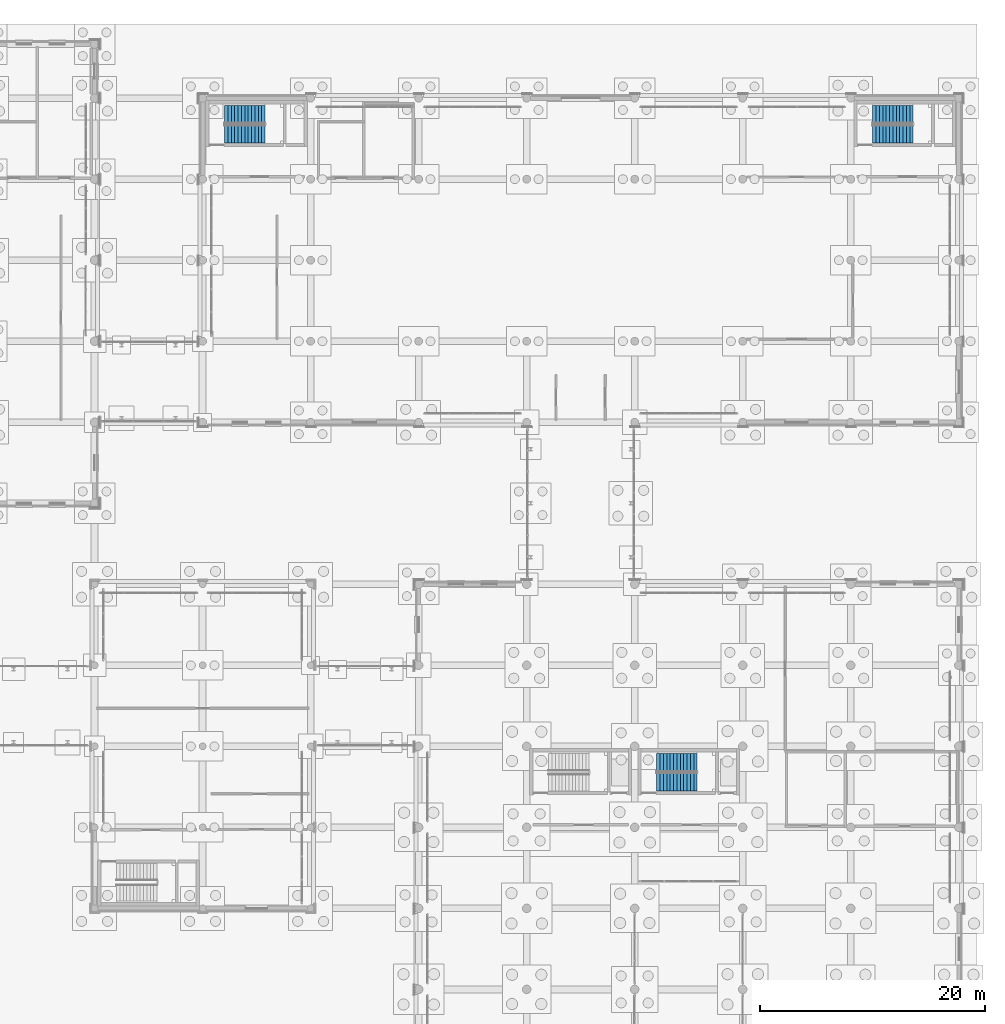
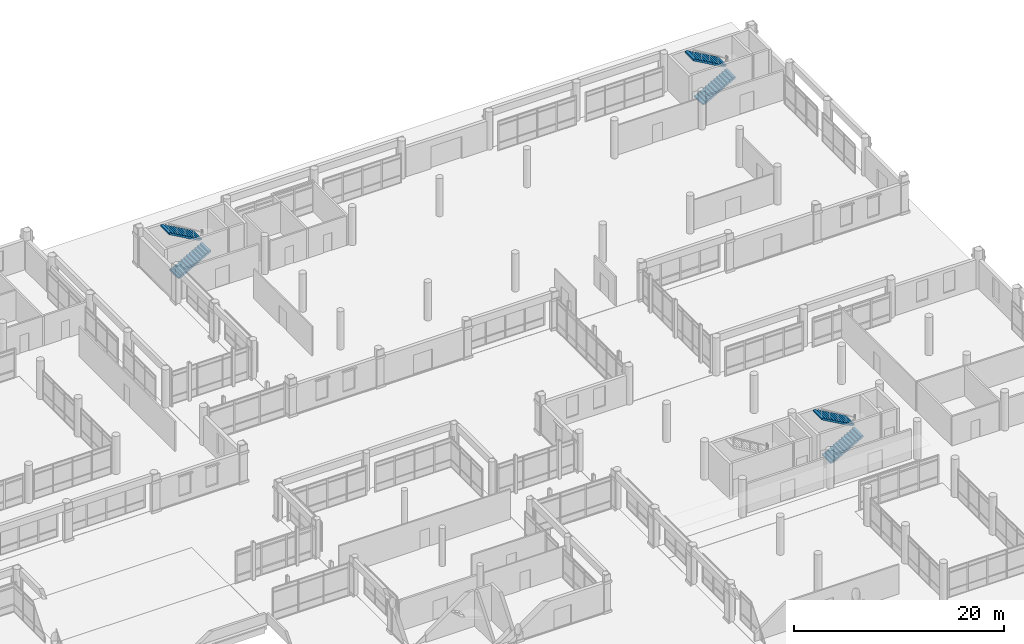
# One storey, part 169 of 196: 6 stair flights, 3 elements without a shape of their own.
"""IFC4 building model written with IfcOpenShell, lengths in metres."""

from ifc_helpers import new_model, si_unit, direction, frame, origin, place, context, subcontext, project, spatial, polyline, outline, extrude, material, layer, layer_set, type_object, element, aggregate, save


model = new_model("IFC4")

# Units and contexts
model_context = context("Model", 3, precision=1e-05, world=origin(), true_north=direction((0.0, 1.0)))
body_context = subcontext(model_context, "Body", "Model", "MODEL_VIEW")
ifc_project = project(units=[si_unit("LENGTHUNIT", "METRE"), si_unit("AREAUNIT", "SQUARE_METRE"), si_unit("VOLUMEUNIT", "CUBIC_METRE"), si_unit("PLANEANGLEUNIT", "RADIAN"), si_unit("MASSUNIT", "GRAM", prefix="KILO")], contexts=[model_context])

# Site, building, storey
site_placement = place(None, origin())
site = spatial("IfcSite", under=ifc_project, at=site_placement, CompositionType="ELEMENT")
building_placement = place(site_placement, origin())
building = spatial("IfcBuilding", under=site, at=building_placement, Name="Asteropetra Specialist Clinic", CompositionType="ELEMENT")
storey_placement = place(building_placement, origin())
storey = spatial("IfcBuildingStorey", under=building, at=storey_placement, Name="L00", CompositionType="ELEMENT", Elevation=0.0)

# Stair, stair flights
ifc_material_1 = material(Name="Concrete C35/45", Category="concrete")
stair_type_1 = type_object("IfcStairType", Name="STR-DOG-160", PredefinedType="TWO_STRAIGHT_RUN_STAIR", material=ifc_material_1)
stair_1_placement = place(storey_placement, origin())
stair_1 = element("IfcStair", 1, at=stair_1_placement, inside=storey, type_object=stair_type_1, Name="Type I Stair ST11-L00", PredefinedType="TWO_STRAIGHT_RUN_STAIR")
ifc_material_2 = material(Name="Concrete C35/45", Category="concrete")
ifc_layer_1 = layer(ifc_material_2, 0.179931640625)
ifc_layer_set_1 = layer_set([ifc_layer_1], Name="Concrete C35/45")
stair_flight_type_1 = type_object("IfcStairFlightType", Name="SFL-STR-160", PredefinedType="STRAIGHT", material=ifc_layer_set_1)
stair_flight_1_placement = place(storey_placement, frame((88.35009765625, 102.419921875, 0.0), z_axis=(0.0, 0.0, 1.0), x_axis=(1.0, 0.0, 0.0)))
stair_flight_1 = element("IfcStairFlight", 2, at=stair_flight_1_placement, type_object=stair_flight_type_1, Name="ST11-L00 flight 1", NumberOfRisers=13, NumberOfTreads=12, PredefinedType="STRAIGHT", RiserHeight=0.17, TreadLength=0.3, context=body_context, shape_type="SweptSolid", body=[
    extrude(outline(polyline([(0.0, 0.0), (0.0, 0.169921875), (0.300048828125, 0.169921875), (0.300048828125, 0.340087890625), (0.60009765625, 0.340087890625), (0.60009765625, 0.510009765625), (0.89990234375, 0.510009765625), (0.89990234375, 0.679931640625), (1.199951171875, 0.679931640625), (1.199951171875, 0.85009765625), (1.5, 0.85009765625), (1.5, 1.02001953125), (1.800048828125, 1.02001953125), (1.800048828125, 1.18994140625), (2.10009765625, 1.18994140625), (2.10009765625, 1.360107421875), (2.39990234375, 1.360107421875), (2.39990234375, 1.530029296875), (2.699951171875, 1.530029296875), (2.699951171875, 1.699951171875), (3.0, 1.699951171875), (3.0, 1.8701171875), (3.300048828125, 1.8701171875), (3.300048828125, 2.0400390625), (3.60009765625, 2.0400390625), (3.60009765625, 2.2099609375), (3.60009765625, 1.856201171875), (0.324462890625, 0.0), (0.0, 0.0)])), frame((0.0, 0.800048828125, 0.0), z_axis=(0.0, -1.0, 0.0), x_axis=(1.0, 0.0, 0.0)), (0.0, 0.0, 1.0), 1.60009765625),
])
stair_flight_2_placement = place(storey_placement, frame((91.949951171875, 104.159912109375, 2.2099609375), z_axis=(0.0, 0.0, 1.0), x_axis=(-1.0, 0.0, 0.0)))
stair_flight_2 = element("IfcStairFlight", 3, at=stair_flight_2_placement, type_object=stair_flight_type_1, Name="ST11-L00 flight 2", NumberOfRisers=13, NumberOfTreads=12, PredefinedType="STRAIGHT", RiserHeight=0.17, TreadLength=0.3, context=body_context, shape_type="SweptSolid", body=[
    extrude(outline(polyline([(0.0, 0.0), (0.0, 0.169921875), (0.300048828125, 0.169921875), (0.300048828125, 0.340087890625), (0.60009765625, 0.340087890625), (0.60009765625, 0.510009765625), (0.89990234375, 0.510009765625), (0.89990234375, 0.679931640625), (1.199951171875, 0.679931640625), (1.199951171875, 0.85009765625), (1.5, 0.85009765625), (1.5, 1.02001953125), (1.800048828125, 1.02001953125), (1.800048828125, 1.18994140625), (2.10009765625, 1.18994140625), (2.10009765625, 1.360107421875), (2.39990234375, 1.360107421875), (2.39990234375, 1.530029296875), (2.699951171875, 1.530029296875), (2.699951171875, 1.699951171875), (3.0, 1.699951171875), (3.0, 1.8701171875), (3.300048828125, 1.8701171875), (3.300048828125, 2.0400390625), (3.60009765625, 2.0400390625), (3.60009765625, 2.2099609375), (3.60009765625, 1.856201171875), (0.324462890625, 0.0), (0.0, 0.0)])), frame((0.0, 0.800048828125, 0.0), z_axis=(0.0, -1.0, 0.0), x_axis=(1.0, 0.0, 0.0)), (0.0, 0.0, 1.0), 1.60009765625),
])
aggregate(stair_1, [stair_flight_1, stair_flight_2])

stair_2_placement = place(storey_placement, origin())
stair_2 = element("IfcStair", 4, at=stair_2_placement, inside=storey, type_object=stair_type_1, Name="Type I Stair ST12-L00", PredefinedType="TWO_STRAIGHT_RUN_STAIR")
stair_flight_3_placement = place(storey_placement, frame((145.949951171875, 102.419921875, 0.0), z_axis=(0.0, 0.0, 1.0), x_axis=(1.0, 0.0, 0.0)))
stair_flight_3 = element("IfcStairFlight", 5, at=stair_flight_3_placement, type_object=stair_flight_type_1, Name="ST12-L00 flight 1", NumberOfRisers=13, NumberOfTreads=12, PredefinedType="STRAIGHT", RiserHeight=0.17, TreadLength=0.3, context=body_context, shape_type="SweptSolid", body=[
    extrude(outline(polyline([(0.0, 0.0), (0.0, 0.169921875), (0.300048828125, 0.169921875), (0.300048828125, 0.340087890625), (0.60009765625, 0.340087890625), (0.60009765625, 0.510009765625), (0.89990234375, 0.510009765625), (0.89990234375, 0.679931640625), (1.199951171875, 0.679931640625), (1.199951171875, 0.85009765625), (1.5, 0.85009765625), (1.5, 1.02001953125), (1.800048828125, 1.02001953125), (1.800048828125, 1.18994140625), (2.10009765625, 1.18994140625), (2.10009765625, 1.360107421875), (2.39990234375, 1.360107421875), (2.39990234375, 1.530029296875), (2.699951171875, 1.530029296875), (2.699951171875, 1.699951171875), (3.0, 1.699951171875), (3.0, 1.8701171875), (3.300048828125, 1.8701171875), (3.300048828125, 2.0400390625), (3.60009765625, 2.0400390625), (3.60009765625, 2.2099609375), (3.60009765625, 1.856201171875), (0.324462890625, 0.0), (0.0, 0.0)])), frame((0.0, 0.800048828125, 0.0), z_axis=(0.0, -1.0, 0.0), x_axis=(1.0, 0.0, 0.0)), (0.0, 0.0, 1.0), 1.60009765625),
])
stair_flight_4_placement = place(storey_placement, frame((149.550048828125, 104.159912109375, 2.2099609375), z_axis=(0.0, 0.0, 1.0), x_axis=(-1.0, 0.0, 0.0)))
stair_flight_4 = element("IfcStairFlight", 6, at=stair_flight_4_placement, type_object=stair_flight_type_1, Name="ST12-L00 flight 2", NumberOfRisers=13, NumberOfTreads=12, PredefinedType="STRAIGHT", RiserHeight=0.17, TreadLength=0.3, context=body_context, shape_type="SweptSolid", body=[
    extrude(outline(polyline([(0.0, 0.0), (0.0, 0.169921875), (0.300048828125, 0.169921875), (0.300048828125, 0.340087890625), (0.60009765625, 0.340087890625), (0.60009765625, 0.510009765625), (0.89990234375, 0.510009765625), (0.89990234375, 0.679931640625), (1.199951171875, 0.679931640625), (1.199951171875, 0.85009765625), (1.5, 0.85009765625), (1.5, 1.02001953125), (1.800048828125, 1.02001953125), (1.800048828125, 1.18994140625), (2.10009765625, 1.18994140625), (2.10009765625, 1.360107421875), (2.39990234375, 1.360107421875), (2.39990234375, 1.530029296875), (2.699951171875, 1.530029296875), (2.699951171875, 1.699951171875), (3.0, 1.699951171875), (3.0, 1.8701171875), (3.300048828125, 1.8701171875), (3.300048828125, 2.0400390625), (3.60009765625, 2.0400390625), (3.60009765625, 2.2099609375), (3.60009765625, 1.856201171875), (0.324462890625, 0.0), (0.0, 0.0)])), frame((0.0, 0.800048828125, 0.0), z_axis=(0.0, -1.0, 0.0), x_axis=(1.0, 0.0, 0.0)), (0.0, 0.0, 1.0), 1.60009765625),
])
aggregate(stair_2, [stair_flight_3, stair_flight_4])

ifc_material_3 = material(Name="Concrete C35/45", Category="concrete")
stair_type_2 = type_object("IfcStairType", Name="STR-DOG-165", PredefinedType="TWO_STRAIGHT_RUN_STAIR", material=ifc_material_3)
stair_3_placement = place(storey_placement, origin())
stair_3 = element("IfcStair", 7, at=stair_3_placement, inside=storey, type_object=stair_type_2, Name="Type I Stair ST09-L00", PredefinedType="TWO_STRAIGHT_RUN_STAIR")
ifc_material_4 = material(Name="Concrete C35/45", Category="concrete")
ifc_layer_2 = layer(ifc_material_4, 0.179931640625)
ifc_layer_set_2 = layer_set([ifc_layer_2], Name="Concrete C35/45")
stair_flight_type_2 = type_object("IfcStairFlightType", Name="SFL-STR-165", PredefinedType="STRAIGHT", material=ifc_layer_set_2)
stair_flight_5_placement = place(storey_placement, frame((126.75, 44.844970703125, 0.0), z_axis=(0.0, 0.0, 1.0), x_axis=(1.0, 0.0, 0.0)))
stair_flight_5 = element("IfcStairFlight", 8, at=stair_flight_5_placement, type_object=stair_flight_type_2, Name="ST09-L00 flight 1", NumberOfRisers=13, NumberOfTreads=12, PredefinedType="STRAIGHT", RiserHeight=0.17, TreadLength=0.3, context=body_context, shape_type="SweptSolid", body=[
    extrude(outline(polyline([(0.0, 0.0), (0.0, 0.169921875), (0.300048828125, 0.169921875), (0.300048828125, 0.340087890625), (0.60009765625, 0.340087890625), (0.60009765625, 0.510009765625), (0.89990234375, 0.510009765625), (0.89990234375, 0.679931640625), (1.199951171875, 0.679931640625), (1.199951171875, 0.85009765625), (1.5, 0.85009765625), (1.5, 1.02001953125), (1.800048828125, 1.02001953125), (1.800048828125, 1.18994140625), (2.10009765625, 1.18994140625), (2.10009765625, 1.360107421875), (2.39990234375, 1.360107421875), (2.39990234375, 1.530029296875), (2.699951171875, 1.530029296875), (2.699951171875, 1.699951171875), (3.0, 1.699951171875), (3.0, 1.8701171875), (3.300048828125, 1.8701171875), (3.300048828125, 2.0400390625), (3.60009765625, 2.0400390625), (3.60009765625, 2.2099609375), (3.60009765625, 1.856201171875), (0.324462890625, 0.0), (0.0, 0.0)])), frame((0.0, 0.824951171875, 0.0), z_axis=(0.0, -1.0, 0.0), x_axis=(1.0, 0.0, 0.0)), (0.0, 0.0, 1.0), 1.64990234375),
])
stair_flight_6_placement = place(storey_placement, frame((130.35009765625, 46.534912109375, 2.2099609375), z_axis=(0.0, 0.0, 1.0), x_axis=(-1.0, 0.0, 0.0)))
stair_flight_6 = element("IfcStairFlight", 9, at=stair_flight_6_placement, type_object=stair_flight_type_2, Name="ST09-L00 flight 2", NumberOfRisers=13, NumberOfTreads=12, PredefinedType="STRAIGHT", RiserHeight=0.17, TreadLength=0.3, context=body_context, shape_type="SweptSolid", body=[
    extrude(outline(polyline([(0.0, 0.0), (0.0, 0.169921875), (0.300048828125, 0.169921875), (0.300048828125, 0.340087890625), (0.60009765625, 0.340087890625), (0.60009765625, 0.510009765625), (0.89990234375, 0.510009765625), (0.89990234375, 0.679931640625), (1.199951171875, 0.679931640625), (1.199951171875, 0.85009765625), (1.5, 0.85009765625), (1.5, 1.02001953125), (1.800048828125, 1.02001953125), (1.800048828125, 1.18994140625), (2.10009765625, 1.18994140625), (2.10009765625, 1.360107421875), (2.39990234375, 1.360107421875), (2.39990234375, 1.530029296875), (2.699951171875, 1.530029296875), (2.699951171875, 1.699951171875), (3.0, 1.699951171875), (3.0, 1.8701171875), (3.300048828125, 1.8701171875), (3.300048828125, 2.0400390625), (3.60009765625, 2.0400390625), (3.60009765625, 2.2099609375), (3.60009765625, 1.856201171875), (0.324462890625, 0.0), (0.0, 0.0)])), frame((0.0, 0.824951171875, 0.0), z_axis=(0.0, -1.0, 0.0), x_axis=(1.0, 0.0, 0.0)), (0.0, 0.0, 1.0), 1.64990234375),
])
aggregate(stair_3, [stair_flight_5, stair_flight_6])

save(model, "model.ifc")
